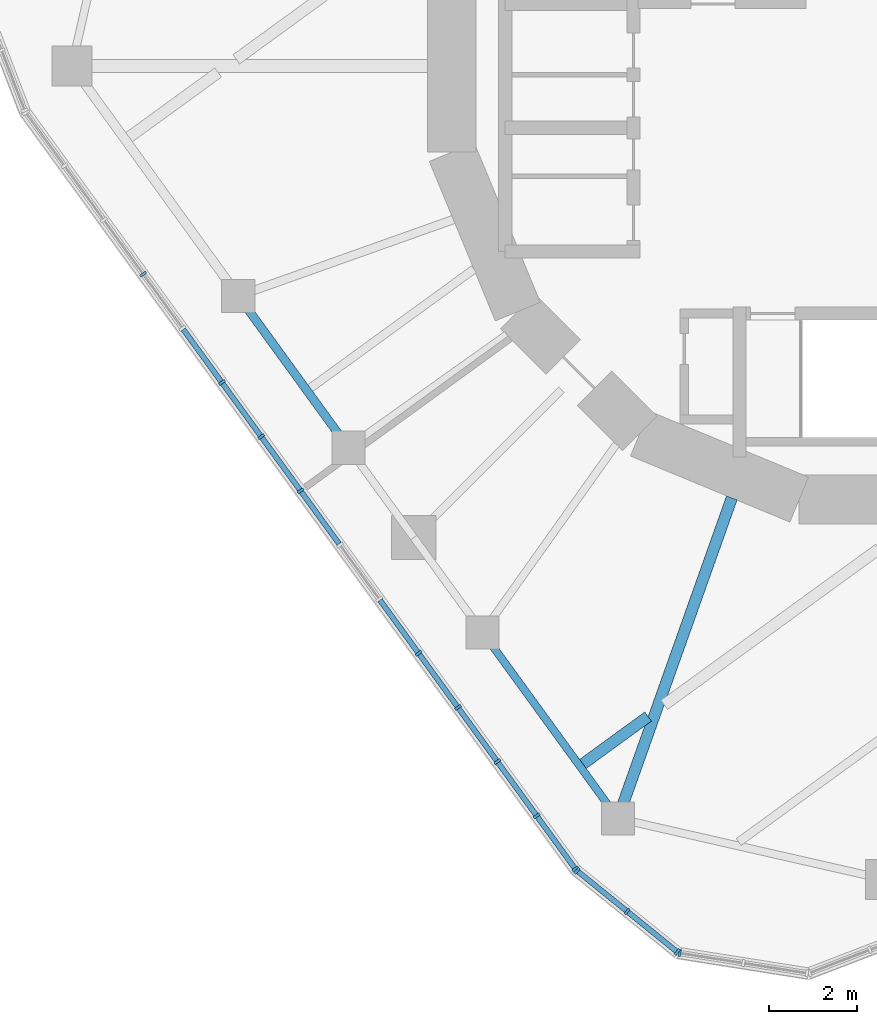
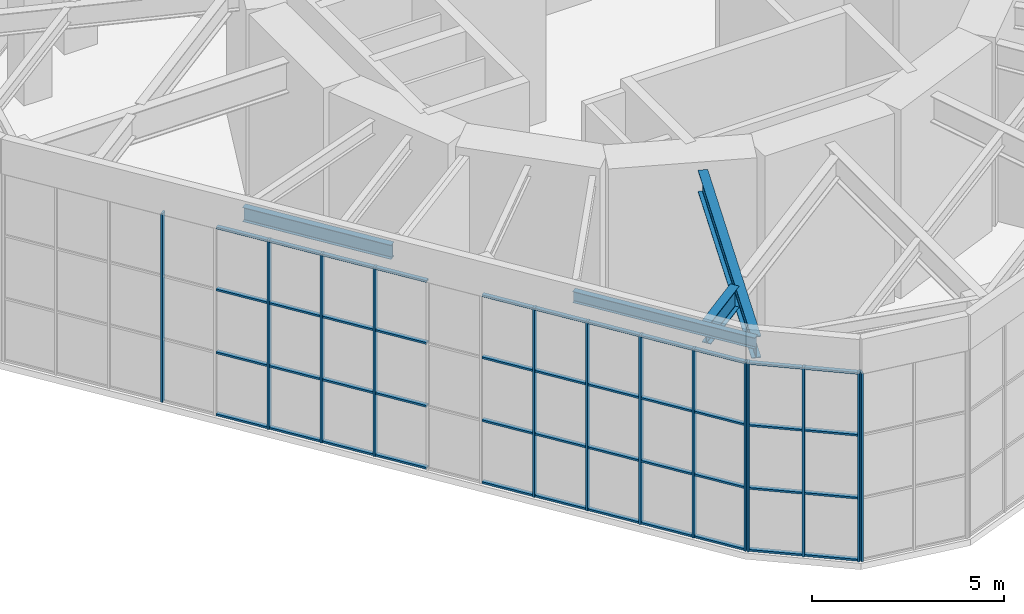
# One storey, part 2 of 17: 57 members, 4 beams, 3 elements without a shape of their own.
"""IFC4 building model written with IfcOpenShell, lengths in metres."""

from ifc_helpers import new_model, si_unit, direction, frame, origin, origin_2d, place, context, subcontext, project, spatial, rectangle, i_section, extrude, material, material_profile, profile_set, type_object, element, aggregate, save


model = new_model("IFC4")

# Units and contexts
model_context = context("Model", 3, precision=1e-05, world=origin(), true_north=direction((0.0, 1.0)))
body_context = subcontext(model_context, "Body", "Model", "MODEL_VIEW")
ifc_project = project(units=[si_unit("LENGTHUNIT", "METRE"), si_unit("AREAUNIT", "SQUARE_METRE"), si_unit("VOLUMEUNIT", "CUBIC_METRE"), si_unit("PLANEANGLEUNIT", "RADIAN"), si_unit("MASSUNIT", "GRAM", prefix="KILO")], contexts=[model_context])

# Site, building, storey
site_placement = place(None, origin())
site = spatial("IfcSite", under=ifc_project, at=site_placement, CompositionType="ELEMENT")
building_placement = place(site_placement, origin())
building = spatial("IfcBuilding", under=site, at=building_placement, Name="Nakasero Lantern House", CompositionType="ELEMENT")
storey_placement = place(building_placement, frame((0.0, 0.0, 304.39990234375)))
storey = spatial("IfcBuildingStorey", under=building, at=storey_placement, Name="L74", CompositionType="ELEMENT", Elevation=304.39990234375)

# Beam
ifc_material_1 = material(Name="Steel S355", Category="steel")
ifc_material_profile_1 = material_profile(ifc_material_1, i_section(OverallWidth=0.255859375, OverallDepth=0.69287109375, WebThickness=0.014404296875, FlangeThickness=0.023681640625, FilletRadius=0.01513671875, at=origin_2d()), Name="UB 686x254x170")
ifc_profile_set_1 = profile_set([ifc_material_profile_1], Name="Steel S355")
beam_type_1 = type_object("IfcBeamType", Name="Infill beam UB 686x254x170", PredefinedType="JOIST", material=ifc_profile_set_1)
beam_1_placement = place(storey_placement, frame((-6.841796875, -15.786376953125, 5.403564453125), z_axis=(0.809025740158, 0.587773214566, 0.0), x_axis=(-0.587773214566, 0.809025740158, 0.0)))
element("IfcBeam", 1, at=beam_1_placement, inside=storey, type_object=beam_type_1, Name="Infill beam ROOF 04.1", PredefinedType="JOIST", context=body_context, shape_type="SweptSolid", body=[
    extrude(i_section(OverallWidth=0.255859375, OverallDepth=0.69287109375, WebThickness=0.014404296875, FlangeThickness=0.023681640625, FilletRadius=0.01513671875, at=origin_2d()), origin(), (0.0, 0.0, 1.0), 1.82177734375),
])

# Curtain wall, members
ifc_material_2 = material(Name="Aluminium 6063-T6 and glass", Category="aluminium")
curtain_wall_type = type_object("IfcCurtainWallType", Name="Lantern glazing CW-4", PredefinedType="USERDEFINED", material=ifc_material_2)
curtain_wall_1_placement = place(storey_placement, origin())
curtain_wall_1 = element("IfcCurtainWall", 2, at=curtain_wall_1_placement, inside=storey, type_object=curtain_wall_type, Name="Curtain wall CW-4 L74", ObjectType="UNITISED CURTAIN WALL", PredefinedType="USERDEFINED")
ifc_material_3 = material(Name="Aluminium 6063-T6", Category="aluminium")
ifc_material_profile_2 = material_profile(ifc_material_3, rectangle(XDim=0.06005859375, YDim=0.159912109375, at=origin_2d()), Name="CW-4 mullion 60x160")
ifc_profile_set_2 = profile_set([ifc_material_profile_2], Name="Aluminium 6063-T6")
member_type_1 = type_object("IfcMemberType", Name="Mullion CW-4", PredefinedType="MULLION", material=ifc_profile_set_2)
member_1_placement = place(storey_placement, frame((-16.787841796875, -4.7099609375, 0.0), z_axis=(0.0, 0.0, 1.0), x_axis=(0.587785252292, -0.809016994375, 0.0)))
member_1 = element("IfcMember", 3, at=member_1_placement, type_object=member_type_1, Name="CW-4 mullion 4", PredefinedType="MULLION", context=body_context, shape_type="SweptSolid", body=[
    extrude(rectangle(XDim=0.06005859375, YDim=0.159912109375, at=origin_2d()), origin(), (0.0, 0.0, 1.0), 6.0),
])
member_2_placement = place(storey_placement, frame((-15.007568359375, -7.16015625, 0.0), z_axis=(0.0, 0.0, 1.0), x_axis=(0.587785252292, -0.809016994375, 0.0)))
member_2 = element("IfcMember", 4, at=member_2_placement, type_object=member_type_1, Name="CW-4 mullion 6", PredefinedType="MULLION", context=body_context, shape_type="SweptSolid", body=[
    extrude(rectangle(XDim=0.06005859375, YDim=0.159912109375, at=origin_2d()), origin(), (0.0, 0.0, 1.0), 6.0),
])
member_3_placement = place(storey_placement, frame((-14.117431640625, -8.38525390625, 0.0), z_axis=(0.0, 0.0, 1.0), x_axis=(0.587785252292, -0.809016994375, 0.0)))
member_3 = element("IfcMember", 5, at=member_3_placement, type_object=member_type_1, Name="CW-4 mullion 7", PredefinedType="MULLION", context=body_context, shape_type="SweptSolid", body=[
    extrude(rectangle(XDim=0.06005859375, YDim=0.159912109375, at=origin_2d()), origin(), (0.0, 0.0, 1.0), 6.0),
])
member_4_placement = place(storey_placement, frame((-13.2275390625, -9.6103515625, 0.0), z_axis=(0.0, 0.0, 1.0), x_axis=(0.587785252292, -0.809016994375, 0.0)))
member_4 = element("IfcMember", 6, at=member_4_placement, type_object=member_type_1, Name="CW-4 mullion 8", PredefinedType="MULLION", context=body_context, shape_type="SweptSolid", body=[
    extrude(rectangle(XDim=0.06005859375, YDim=0.159912109375, at=origin_2d()), origin(), (0.0, 0.0, 1.0), 6.0),
])
member_5_placement = place(storey_placement, frame((-10.55712890625, -13.28564453125, 0.0), z_axis=(0.0, 0.0, 1.0), x_axis=(0.587785252292, -0.809016994375, 0.0)))
member_5 = element("IfcMember", 7, at=member_5_placement, type_object=member_type_1, Name="CW-4 mullion 11", PredefinedType="MULLION", context=body_context, shape_type="SweptSolid", body=[
    extrude(rectangle(XDim=0.06005859375, YDim=0.159912109375, at=origin_2d()), origin(), (0.0, 0.0, 1.0), 6.0),
])
member_6_placement = place(storey_placement, frame((-9.667236328125, -14.5107421875, 0.0), z_axis=(0.0, 0.0, 1.0), x_axis=(0.587785252292, -0.809016994375, 0.0)))
member_6 = element("IfcMember", 8, at=member_6_placement, type_object=member_type_1, Name="CW-4 mullion 12", PredefinedType="MULLION", context=body_context, shape_type="SweptSolid", body=[
    extrude(rectangle(XDim=0.06005859375, YDim=0.159912109375, at=origin_2d()), origin(), (0.0, 0.0, 1.0), 6.0),
])
member_7_placement = place(storey_placement, frame((-8.777099609375, -15.735595703125, 0.0), z_axis=(0.0, 0.0, 1.0), x_axis=(0.587785252292, -0.809016994375, 0.0)))
member_7 = element("IfcMember", 9, at=member_7_placement, type_object=member_type_1, Name="CW-4 mullion 13", PredefinedType="MULLION", context=body_context, shape_type="SweptSolid", body=[
    extrude(rectangle(XDim=0.06005859375, YDim=0.159912109375, at=origin_2d()), origin(), (0.0, 0.0, 1.0), 6.0),
])
member_8_placement = place(storey_placement, frame((-7.886962890625, -16.960693359375, 0.0), z_axis=(0.0, 0.0, 1.0), x_axis=(0.587785252292, -0.809016994375, 0.0)))
member_8 = element("IfcMember", 10, at=member_8_placement, type_object=member_type_1, Name="CW-4 mullion 14", PredefinedType="MULLION", context=body_context, shape_type="SweptSolid", body=[
    extrude(rectangle(XDim=0.06005859375, YDim=0.159912109375, at=origin_2d()), origin(), (0.0, 0.0, 1.0), 6.0),
])
member_9_placement = place(storey_placement, frame((-7.0146484375, -18.16162109375, 0.0), z_axis=(0.0, 0.0, 1.0), x_axis=(0.587785252292, -0.809016994375, 0.0)))
member_9 = element("IfcMember", 11, at=member_9_placement, type_object=member_type_1, Name="CW-4 mullion 15", PredefinedType="MULLION", context=body_context, shape_type="SweptSolid", body=[
    extrude(rectangle(XDim=0.06005859375, YDim=0.159912109375, at=origin_2d()), origin(), (0.0, 0.0, 1.0), 6.0),
])

curtain_wall_2_placement = place(storey_placement, origin())
curtain_wall_2 = element("IfcCurtainWall", 12, at=curtain_wall_2_placement, inside=storey, type_object=curtain_wall_type, Name="Curtain wall CW-4 L74", ObjectType="UNITISED CURTAIN WALL", PredefinedType="USERDEFINED")
member_10_placement = place(storey_placement, frame((-6.9736328125, -18.204833984375, 0.0), z_axis=(0.0, 0.0, 1.0), x_axis=(0.777145961457, -0.62932039105, 0.0)))
member_10 = element("IfcMember", 13, at=member_10_placement, type_object=member_type_1, Name="CW-4 mullion 1", PredefinedType="MULLION", context=body_context, shape_type="SweptSolid", body=[
    extrude(rectangle(XDim=0.06005859375, YDim=0.159912109375, at=origin_2d()), origin(), (0.0, 0.0, 1.0), 6.0),
])
member_11_placement = place(storey_placement, frame((-5.84033203125, -19.122314453125, 0.0), z_axis=(0.0, 0.0, 1.0), x_axis=(0.777145961457, -0.62932039105, 0.0)))
member_11 = element("IfcMember", 14, at=member_11_placement, type_object=member_type_1, Name="CW-4 mullion 2", PredefinedType="MULLION", context=body_context, shape_type="SweptSolid", body=[
    extrude(rectangle(XDim=0.06005859375, YDim=0.159912109375, at=origin_2d()), origin(), (0.0, 0.0, 1.0), 6.0),
])
member_12_placement = place(storey_placement, frame((-4.70703125, -20.0400390625, 0.0), z_axis=(0.0, 0.0, 1.0), x_axis=(0.777145961457, -0.62932039105, 0.0)))
member_12 = element("IfcMember", 15, at=member_12_placement, type_object=member_type_1, Name="CW-4 mullion 3", PredefinedType="MULLION", context=body_context, shape_type="SweptSolid", body=[
    extrude(rectangle(XDim=0.06005859375, YDim=0.159912109375, at=origin_2d()), origin(), (0.0, 0.0, 1.0), 6.0),
])

# Curtain wall, member
curtain_wall_3_placement = place(storey_placement, origin())
curtain_wall_3 = element("IfcCurtainWall", 16, at=curtain_wall_3_placement, inside=storey, type_object=curtain_wall_type, Name="Curtain wall CW-4 L74", ObjectType="UNITISED CURTAIN WALL", PredefinedType="USERDEFINED")
member_13_placement = place(storey_placement, frame((-4.654052734375, -20.063720703125, 0.0), z_axis=(0.0, 0.0, 1.0), x_axis=(0.987688340595, -0.15643446504, 0.0)))
member_13 = element("IfcMember", 17, at=member_13_placement, type_object=member_type_1, Name="CW-4 mullion 1", PredefinedType="MULLION", context=body_context, shape_type="SweptSolid", body=[
    extrude(rectangle(XDim=0.06005859375, YDim=0.159912109375, at=origin_2d()), origin(), (0.0, 0.0, 1.0), 6.0),
])
aggregate(curtain_wall_3, [member_13])

# Beams
ifc_material_4 = material(Name="Steel S355", Category="steel")
ifc_material_profile_3 = material_profile(ifc_material_4, i_section(OverallWidth=0.255859375, OverallDepth=0.69287109375, WebThickness=0.014404296875, FlangeThickness=0.023681640625, FilletRadius=0.01513671875, at=origin_2d()), Name="UB 686x254x170")
ifc_profile_set_3 = profile_set([ifc_material_profile_3], Name="Steel S355")
beam_type_2 = type_object("IfcBeamType", Name="Primary beam UB 686x254x170, span 6 to 9 m", PredefinedType="BEAM", material=ifc_profile_set_3)
beam_2_placement = place(storey_placement, frame((-6.051513671875, -17.02001953125, 5.403564453125), z_axis=(0.334989005521, 0.942222036561, 0.0), x_axis=(-0.942222036561, 0.334989005521, 0.0)))
element("IfcBeam", 18, at=beam_2_placement, inside=storey, type_object=beam_type_2, Name="Primary beam ROOF B7-C20", PredefinedType="BEAM", context=body_context, shape_type="SweptSolid", body=[
    extrude(i_section(OverallWidth=0.255859375, OverallDepth=0.69287109375, WebThickness=0.014404296875, FlangeThickness=0.023681640625, FilletRadius=0.01513671875, at=origin_2d()), origin(), (0.0, 0.0, 1.0), 7.6923828125),
])
ifc_material_5 = material(Name="Steel S355", Category="steel")
ifc_material_profile_4 = material_profile(ifc_material_5, i_section(OverallWidth=0.17138671875, OverallDepth=0.35498046875, WebThickness=0.00732421875, FlangeThickness=0.011474609375, FilletRadius=0.01025390625, at=origin_2d()), Name="UB 356x171x51")
ifc_profile_set_4 = profile_set([ifc_material_profile_4], Name="Steel S355")
beam_type_3 = type_object("IfcBeamType", Name="Ring beam UB 356x171x51", PredefinedType="BEAM", material=ifc_profile_set_4)
beam_3_placement = place(storey_placement, frame((-9.10986328125, -12.810791015625, 5.572509765625), z_axis=(0.587806144414, -0.809001814948, 0.0), x_axis=(0.809001814948, 0.587806144414, 0.0)))
element("IfcBeam", 19, at=beam_3_placement, inside=storey, type_object=beam_type_3, Name="Ring beam ROOF B7-C19", PredefinedType="BEAM", context=body_context, shape_type="SweptSolid", body=[
    extrude(i_section(OverallWidth=0.17138671875, OverallDepth=0.35498046875, WebThickness=0.00732421875, FlangeThickness=0.011474609375, FilletRadius=0.01025390625, at=origin_2d()), origin(), (0.0, 0.0, 1.0), 5.202880859375),
])
ifc_material_6 = material(Name="Steel S355", Category="steel")
ifc_material_profile_5 = material_profile(ifc_material_6, i_section(OverallWidth=0.18994140625, OverallDepth=0.453369140625, WebThickness=0.008544921875, FlangeThickness=0.0126953125, FilletRadius=0.01025390625, at=origin_2d()), Name="UB 457x191x67")
ifc_profile_set_5 = profile_set([ifc_material_profile_5], Name="Steel S355")
beam_type_4 = type_object("IfcBeamType", Name="Ring beam UB 457x191x67", PredefinedType="BEAM", material=ifc_profile_set_5)
beam_4_placement = place(storey_placement, frame((-14.636474609375, -5.2041015625, 5.5234375), z_axis=(0.587791706687, -0.809012304944, 0.0), x_axis=(0.809012304944, 0.587791706687, 0.0)))
element("IfcBeam", 20, at=beam_4_placement, inside=storey, type_object=beam_type_4, Name="Ring beam ROOF B7-C16", PredefinedType="BEAM", context=body_context, shape_type="SweptSolid", body=[
    extrude(i_section(OverallWidth=0.18994140625, OverallDepth=0.453369140625, WebThickness=0.008544921875, FlangeThickness=0.0126953125, FilletRadius=0.01025390625, at=origin_2d()), origin(), (0.0, 0.0, 1.0), 4.2412109375),
])

# Member
ifc_material_7 = material(Name="Aluminium 6063-T6", Category="aluminium")
ifc_material_profile_6 = material_profile(ifc_material_7, rectangle(XDim=0.06005859375, YDim=0.1201171875, at=origin_2d()), Name="CW-4 transom 60x120")
ifc_profile_set_6 = profile_set([ifc_material_profile_6], Name="Aluminium 6063-T6")
member_type_2 = type_object("IfcMemberType", Name="Transom CW-4", PredefinedType="USERDEFINED", material=ifc_profile_set_6)
member_14_placement = place(storey_placement, frame((-15.880126953125, -5.959228515625, 0.030029296875), z_axis=(0.587872217916, -0.808953803009, 0.0), x_axis=(0.0, 0.0, 1.0)))
member_14 = element("IfcMember", 21, at=member_14_placement, type_object=member_type_2, Name="CW-4 transom 5.1", ObjectType="TRANSOM", PredefinedType="USERDEFINED", context=body_context, shape_type="SweptSolid", body=[
    extrude(rectangle(XDim=0.06005859375, YDim=0.1201171875, at=origin_2d()), origin(), (0.0, 0.0, 1.0), 1.454345703125),
])

member_15_placement = place(storey_placement, frame((-15.880126953125, -5.959228515625, 2.0), z_axis=(0.587872217916, -0.808953803009, 0.0), x_axis=(0.0, 0.0, 1.0)))
member_15 = element("IfcMember", 22, at=member_15_placement, type_object=member_type_2, Name="CW-4 transom 5.2", ObjectType="TRANSOM", PredefinedType="USERDEFINED", context=body_context, shape_type="SweptSolid", body=[
    extrude(rectangle(XDim=0.06005859375, YDim=0.1201171875, at=origin_2d()), origin(), (0.0, 0.0, 1.0), 1.454345703125),
])

member_16_placement = place(storey_placement, frame((-15.880126953125, -5.959228515625, 4.0), z_axis=(0.587872217916, -0.808953803009, 0.0), x_axis=(0.0, 0.0, 1.0)))
member_16 = element("IfcMember", 23, at=member_16_placement, type_object=member_type_2, Name="CW-4 transom 5.3", ObjectType="TRANSOM", PredefinedType="USERDEFINED", context=body_context, shape_type="SweptSolid", body=[
    extrude(rectangle(XDim=0.06005859375, YDim=0.1201171875, at=origin_2d()), origin(), (0.0, 0.0, 1.0), 1.454345703125),
])

member_17_placement = place(storey_placement, frame((-15.880126953125, -5.959228515625, 5.97021484375), z_axis=(0.587872217916, -0.808953803009, 0.0), x_axis=(0.0, 0.0, 1.0)))
member_17 = element("IfcMember", 24, at=member_17_placement, type_object=member_type_2, Name="CW-4 transom 5.4", ObjectType="TRANSOM", PredefinedType="USERDEFINED", context=body_context, shape_type="SweptSolid", body=[
    extrude(rectangle(XDim=0.06005859375, YDim=0.1201171875, at=origin_2d()), origin(), (0.0, 0.0, 1.0), 1.454345703125),
])

member_18_placement = place(storey_placement, frame((-14.989990234375, -7.184326171875, 0.030029296875), z_axis=(0.587762348068, -0.809033634773, 0.0), x_axis=(0.0, 0.0, 1.0)))
member_18 = element("IfcMember", 25, at=member_18_placement, type_object=member_type_2, Name="CW-4 transom 6.1", ObjectType="TRANSOM", PredefinedType="USERDEFINED", context=body_context, shape_type="SweptSolid", body=[
    extrude(rectangle(XDim=0.06005859375, YDim=0.1201171875, at=origin_2d()), origin(), (0.0, 0.0, 1.0), 1.4541015625),
])

member_19_placement = place(storey_placement, frame((-14.989990234375, -7.184326171875, 2.0), z_axis=(0.587762348068, -0.809033634773, 0.0), x_axis=(0.0, 0.0, 1.0)))
member_19 = element("IfcMember", 26, at=member_19_placement, type_object=member_type_2, Name="CW-4 transom 6.2", ObjectType="TRANSOM", PredefinedType="USERDEFINED", context=body_context, shape_type="SweptSolid", body=[
    extrude(rectangle(XDim=0.06005859375, YDim=0.1201171875, at=origin_2d()), origin(), (0.0, 0.0, 1.0), 1.4541015625),
])

member_20_placement = place(storey_placement, frame((-14.989990234375, -7.184326171875, 4.0), z_axis=(0.587762348068, -0.809033634773, 0.0), x_axis=(0.0, 0.0, 1.0)))
member_20 = element("IfcMember", 27, at=member_20_placement, type_object=member_type_2, Name="CW-4 transom 6.3", ObjectType="TRANSOM", PredefinedType="USERDEFINED", context=body_context, shape_type="SweptSolid", body=[
    extrude(rectangle(XDim=0.06005859375, YDim=0.1201171875, at=origin_2d()), origin(), (0.0, 0.0, 1.0), 1.4541015625),
])

member_21_placement = place(storey_placement, frame((-14.989990234375, -7.184326171875, 5.97021484375), z_axis=(0.587762348068, -0.809033634773, 0.0), x_axis=(0.0, 0.0, 1.0)))
member_21 = element("IfcMember", 28, at=member_21_placement, type_object=member_type_2, Name="CW-4 transom 6.4", ObjectType="TRANSOM", PredefinedType="USERDEFINED", context=body_context, shape_type="SweptSolid", body=[
    extrude(rectangle(XDim=0.06005859375, YDim=0.1201171875, at=origin_2d()), origin(), (0.0, 0.0, 1.0), 1.4541015625),
])

member_22_placement = place(storey_placement, frame((-14.099853515625, -8.409423828125, 0.030029296875), z_axis=(0.587762348068, -0.809033634773, 0.0), x_axis=(0.0, 0.0, 1.0)))
member_22 = element("IfcMember", 29, at=member_22_placement, type_object=member_type_2, Name="CW-4 transom 7.1", ObjectType="TRANSOM", PredefinedType="USERDEFINED", context=body_context, shape_type="SweptSolid", body=[
    extrude(rectangle(XDim=0.06005859375, YDim=0.1201171875, at=origin_2d()), origin(), (0.0, 0.0, 1.0), 1.4541015625),
])

member_23_placement = place(storey_placement, frame((-14.099853515625, -8.409423828125, 2.0), z_axis=(0.587762348068, -0.809033634773, 0.0), x_axis=(0.0, 0.0, 1.0)))
member_23 = element("IfcMember", 30, at=member_23_placement, type_object=member_type_2, Name="CW-4 transom 7.2", ObjectType="TRANSOM", PredefinedType="USERDEFINED", context=body_context, shape_type="SweptSolid", body=[
    extrude(rectangle(XDim=0.06005859375, YDim=0.1201171875, at=origin_2d()), origin(), (0.0, 0.0, 1.0), 1.4541015625),
])

member_24_placement = place(storey_placement, frame((-14.099853515625, -8.409423828125, 4.0), z_axis=(0.587762348068, -0.809033634773, 0.0), x_axis=(0.0, 0.0, 1.0)))
member_24 = element("IfcMember", 31, at=member_24_placement, type_object=member_type_2, Name="CW-4 transom 7.3", ObjectType="TRANSOM", PredefinedType="USERDEFINED", context=body_context, shape_type="SweptSolid", body=[
    extrude(rectangle(XDim=0.06005859375, YDim=0.1201171875, at=origin_2d()), origin(), (0.0, 0.0, 1.0), 1.4541015625),
])

member_25_placement = place(storey_placement, frame((-14.099853515625, -8.409423828125, 5.97021484375), z_axis=(0.587762348068, -0.809033634773, 0.0), x_axis=(0.0, 0.0, 1.0)))
member_25 = element("IfcMember", 32, at=member_25_placement, type_object=member_type_2, Name="CW-4 transom 7.4", ObjectType="TRANSOM", PredefinedType="USERDEFINED", context=body_context, shape_type="SweptSolid", body=[
    extrude(rectangle(XDim=0.06005859375, YDim=0.1201171875, at=origin_2d()), origin(), (0.0, 0.0, 1.0), 1.4541015625),
])

member_26_placement = place(storey_placement, frame((-13.209716796875, -9.634521484375, 0.030029296875), z_axis=(0.587762348068, -0.809033634773, 0.0), x_axis=(0.0, 0.0, 1.0)))
member_26 = element("IfcMember", 33, at=member_26_placement, type_object=member_type_2, Name="CW-4 transom 8.1", ObjectType="TRANSOM", PredefinedType="USERDEFINED", context=body_context, shape_type="SweptSolid", body=[
    extrude(rectangle(XDim=0.06005859375, YDim=0.1201171875, at=origin_2d()), origin(), (0.0, 0.0, 1.0), 1.4541015625),
])

member_27_placement = place(storey_placement, frame((-13.209716796875, -9.634521484375, 2.0), z_axis=(0.587762348068, -0.809033634773, 0.0), x_axis=(0.0, 0.0, 1.0)))
member_27 = element("IfcMember", 34, at=member_27_placement, type_object=member_type_2, Name="CW-4 transom 8.2", ObjectType="TRANSOM", PredefinedType="USERDEFINED", context=body_context, shape_type="SweptSolid", body=[
    extrude(rectangle(XDim=0.06005859375, YDim=0.1201171875, at=origin_2d()), origin(), (0.0, 0.0, 1.0), 1.4541015625),
])

member_28_placement = place(storey_placement, frame((-13.209716796875, -9.634521484375, 4.0), z_axis=(0.587762348068, -0.809033634773, 0.0), x_axis=(0.0, 0.0, 1.0)))
member_28 = element("IfcMember", 35, at=member_28_placement, type_object=member_type_2, Name="CW-4 transom 8.3", ObjectType="TRANSOM", PredefinedType="USERDEFINED", context=body_context, shape_type="SweptSolid", body=[
    extrude(rectangle(XDim=0.06005859375, YDim=0.1201171875, at=origin_2d()), origin(), (0.0, 0.0, 1.0), 1.4541015625),
])

member_29_placement = place(storey_placement, frame((-13.209716796875, -9.634521484375, 5.97021484375), z_axis=(0.587762348068, -0.809033634773, 0.0), x_axis=(0.0, 0.0, 1.0)))
member_29 = element("IfcMember", 36, at=member_29_placement, type_object=member_type_2, Name="CW-4 transom 8.4", ObjectType="TRANSOM", PredefinedType="USERDEFINED", context=body_context, shape_type="SweptSolid", body=[
    extrude(rectangle(XDim=0.06005859375, YDim=0.1201171875, at=origin_2d()), origin(), (0.0, 0.0, 1.0), 1.4541015625),
])

member_30_placement = place(storey_placement, frame((-11.4296875, -12.084716796875, 0.030029296875), z_axis=(0.587762348068, -0.809033634773, 0.0), x_axis=(0.0, 0.0, 1.0)))
member_30 = element("IfcMember", 37, at=member_30_placement, type_object=member_type_2, Name="CW-4 transom 10.1", ObjectType="TRANSOM", PredefinedType="USERDEFINED", context=body_context, shape_type="SweptSolid", body=[
    extrude(rectangle(XDim=0.06005859375, YDim=0.1201171875, at=origin_2d()), origin(), (0.0, 0.0, 1.0), 1.4541015625),
])

member_31_placement = place(storey_placement, frame((-11.4296875, -12.084716796875, 2.0), z_axis=(0.587762348068, -0.809033634773, 0.0), x_axis=(0.0, 0.0, 1.0)))
member_31 = element("IfcMember", 38, at=member_31_placement, type_object=member_type_2, Name="CW-4 transom 10.2", ObjectType="TRANSOM", PredefinedType="USERDEFINED", context=body_context, shape_type="SweptSolid", body=[
    extrude(rectangle(XDim=0.06005859375, YDim=0.1201171875, at=origin_2d()), origin(), (0.0, 0.0, 1.0), 1.4541015625),
])

member_32_placement = place(storey_placement, frame((-11.4296875, -12.084716796875, 4.0), z_axis=(0.587762348068, -0.809033634773, 0.0), x_axis=(0.0, 0.0, 1.0)))
member_32 = element("IfcMember", 39, at=member_32_placement, type_object=member_type_2, Name="CW-4 transom 10.3", ObjectType="TRANSOM", PredefinedType="USERDEFINED", context=body_context, shape_type="SweptSolid", body=[
    extrude(rectangle(XDim=0.06005859375, YDim=0.1201171875, at=origin_2d()), origin(), (0.0, 0.0, 1.0), 1.4541015625),
])

member_33_placement = place(storey_placement, frame((-11.4296875, -12.084716796875, 5.97021484375), z_axis=(0.587762348068, -0.809033634773, 0.0), x_axis=(0.0, 0.0, 1.0)))
member_33 = element("IfcMember", 40, at=member_33_placement, type_object=member_type_2, Name="CW-4 transom 10.4", ObjectType="TRANSOM", PredefinedType="USERDEFINED", context=body_context, shape_type="SweptSolid", body=[
    extrude(rectangle(XDim=0.06005859375, YDim=0.1201171875, at=origin_2d()), origin(), (0.0, 0.0, 1.0), 1.4541015625),
])

member_34_placement = place(storey_placement, frame((-10.53955078125, -13.309814453125, 0.030029296875), z_axis=(0.587762348068, -0.809033634773, 0.0), x_axis=(0.0, 0.0, 1.0)))
member_34 = element("IfcMember", 41, at=member_34_placement, type_object=member_type_2, Name="CW-4 transom 11.1", ObjectType="TRANSOM", PredefinedType="USERDEFINED", context=body_context, shape_type="SweptSolid", body=[
    extrude(rectangle(XDim=0.06005859375, YDim=0.1201171875, at=origin_2d()), origin(), (0.0, 0.0, 1.0), 1.4541015625),
])

member_35_placement = place(storey_placement, frame((-10.53955078125, -13.309814453125, 2.0), z_axis=(0.587762348068, -0.809033634773, 0.0), x_axis=(0.0, 0.0, 1.0)))
member_35 = element("IfcMember", 42, at=member_35_placement, type_object=member_type_2, Name="CW-4 transom 11.2", ObjectType="TRANSOM", PredefinedType="USERDEFINED", context=body_context, shape_type="SweptSolid", body=[
    extrude(rectangle(XDim=0.06005859375, YDim=0.1201171875, at=origin_2d()), origin(), (0.0, 0.0, 1.0), 1.4541015625),
])

member_36_placement = place(storey_placement, frame((-10.53955078125, -13.309814453125, 4.0), z_axis=(0.587762348068, -0.809033634773, 0.0), x_axis=(0.0, 0.0, 1.0)))
member_36 = element("IfcMember", 43, at=member_36_placement, type_object=member_type_2, Name="CW-4 transom 11.3", ObjectType="TRANSOM", PredefinedType="USERDEFINED", context=body_context, shape_type="SweptSolid", body=[
    extrude(rectangle(XDim=0.06005859375, YDim=0.1201171875, at=origin_2d()), origin(), (0.0, 0.0, 1.0), 1.4541015625),
])

member_37_placement = place(storey_placement, frame((-10.53955078125, -13.309814453125, 5.97021484375), z_axis=(0.587762348068, -0.809033634773, 0.0), x_axis=(0.0, 0.0, 1.0)))
member_37 = element("IfcMember", 44, at=member_37_placement, type_object=member_type_2, Name="CW-4 transom 11.4", ObjectType="TRANSOM", PredefinedType="USERDEFINED", context=body_context, shape_type="SweptSolid", body=[
    extrude(rectangle(XDim=0.06005859375, YDim=0.1201171875, at=origin_2d()), origin(), (0.0, 0.0, 1.0), 1.4541015625),
])

member_38_placement = place(storey_placement, frame((-9.6494140625, -14.534912109375, 0.030029296875), z_axis=(0.587762348068, -0.809033634773, 0.0), x_axis=(0.0, 0.0, 1.0)))
member_38 = element("IfcMember", 45, at=member_38_placement, type_object=member_type_2, Name="CW-4 transom 12.1", ObjectType="TRANSOM", PredefinedType="USERDEFINED", context=body_context, shape_type="SweptSolid", body=[
    extrude(rectangle(XDim=0.06005859375, YDim=0.1201171875, at=origin_2d()), origin(), (0.0, 0.0, 1.0), 1.4541015625),
])

member_39_placement = place(storey_placement, frame((-9.6494140625, -14.534912109375, 2.0), z_axis=(0.587762348068, -0.809033634773, 0.0), x_axis=(0.0, 0.0, 1.0)))
member_39 = element("IfcMember", 46, at=member_39_placement, type_object=member_type_2, Name="CW-4 transom 12.2", ObjectType="TRANSOM", PredefinedType="USERDEFINED", context=body_context, shape_type="SweptSolid", body=[
    extrude(rectangle(XDim=0.06005859375, YDim=0.1201171875, at=origin_2d()), origin(), (0.0, 0.0, 1.0), 1.4541015625),
])

member_40_placement = place(storey_placement, frame((-9.6494140625, -14.534912109375, 4.0), z_axis=(0.587762348068, -0.809033634773, 0.0), x_axis=(0.0, 0.0, 1.0)))
member_40 = element("IfcMember", 47, at=member_40_placement, type_object=member_type_2, Name="CW-4 transom 12.3", ObjectType="TRANSOM", PredefinedType="USERDEFINED", context=body_context, shape_type="SweptSolid", body=[
    extrude(rectangle(XDim=0.06005859375, YDim=0.1201171875, at=origin_2d()), origin(), (0.0, 0.0, 1.0), 1.4541015625),
])

member_41_placement = place(storey_placement, frame((-9.6494140625, -14.534912109375, 5.97021484375), z_axis=(0.587762348068, -0.809033634773, 0.0), x_axis=(0.0, 0.0, 1.0)))
member_41 = element("IfcMember", 48, at=member_41_placement, type_object=member_type_2, Name="CW-4 transom 12.4", ObjectType="TRANSOM", PredefinedType="USERDEFINED", context=body_context, shape_type="SweptSolid", body=[
    extrude(rectangle(XDim=0.06005859375, YDim=0.1201171875, at=origin_2d()), origin(), (0.0, 0.0, 1.0), 1.4541015625),
])

member_42_placement = place(storey_placement, frame((-8.759521484375, -15.760009765625, 0.030029296875), z_axis=(0.587872217916, -0.808953803009, 0.0), x_axis=(0.0, 0.0, 1.0)))
member_42 = element("IfcMember", 49, at=member_42_placement, type_object=member_type_2, Name="CW-4 transom 13.1", ObjectType="TRANSOM", PredefinedType="USERDEFINED", context=body_context, shape_type="SweptSolid", body=[
    extrude(rectangle(XDim=0.06005859375, YDim=0.1201171875, at=origin_2d()), origin(), (0.0, 0.0, 1.0), 1.454345703125),
])

member_43_placement = place(storey_placement, frame((-8.759521484375, -15.760009765625, 2.0), z_axis=(0.587872217916, -0.808953803009, 0.0), x_axis=(0.0, 0.0, 1.0)))
member_43 = element("IfcMember", 50, at=member_43_placement, type_object=member_type_2, Name="CW-4 transom 13.2", ObjectType="TRANSOM", PredefinedType="USERDEFINED", context=body_context, shape_type="SweptSolid", body=[
    extrude(rectangle(XDim=0.06005859375, YDim=0.1201171875, at=origin_2d()), origin(), (0.0, 0.0, 1.0), 1.454345703125),
])

member_44_placement = place(storey_placement, frame((-8.759521484375, -15.760009765625, 4.0), z_axis=(0.587872217916, -0.808953803009, 0.0), x_axis=(0.0, 0.0, 1.0)))
member_44 = element("IfcMember", 51, at=member_44_placement, type_object=member_type_2, Name="CW-4 transom 13.3", ObjectType="TRANSOM", PredefinedType="USERDEFINED", context=body_context, shape_type="SweptSolid", body=[
    extrude(rectangle(XDim=0.06005859375, YDim=0.1201171875, at=origin_2d()), origin(), (0.0, 0.0, 1.0), 1.454345703125),
])

member_45_placement = place(storey_placement, frame((-8.759521484375, -15.760009765625, 5.97021484375), z_axis=(0.587872217916, -0.808953803009, 0.0), x_axis=(0.0, 0.0, 1.0)))
member_45 = element("IfcMember", 52, at=member_45_placement, type_object=member_type_2, Name="CW-4 transom 13.4", ObjectType="TRANSOM", PredefinedType="USERDEFINED", context=body_context, shape_type="SweptSolid", body=[
    extrude(rectangle(XDim=0.06005859375, YDim=0.1201171875, at=origin_2d()), origin(), (0.0, 0.0, 1.0), 1.454345703125),
])

member_46_placement = place(storey_placement, frame((-7.869384765625, -16.985107421875, 0.030029296875), z_axis=(0.587835272309, -0.808980650343, 0.0), x_axis=(0.0, 0.0, 1.0)))
member_46 = element("IfcMember", 53, at=member_46_placement, type_object=member_type_2, Name="CW-4 transom 14.1", ObjectType="TRANSOM", PredefinedType="USERDEFINED", context=body_context, shape_type="SweptSolid", body=[
    extrude(rectangle(XDim=0.06005859375, YDim=0.1201171875, at=origin_2d()), origin(), (0.0, 0.0, 1.0), 1.424072265625),
])

member_47_placement = place(storey_placement, frame((-7.869384765625, -16.985107421875, 2.0), z_axis=(0.587835272309, -0.808980650343, 0.0), x_axis=(0.0, 0.0, 1.0)))
member_47 = element("IfcMember", 54, at=member_47_placement, type_object=member_type_2, Name="CW-4 transom 14.2", ObjectType="TRANSOM", PredefinedType="USERDEFINED", context=body_context, shape_type="SweptSolid", body=[
    extrude(rectangle(XDim=0.06005859375, YDim=0.1201171875, at=origin_2d()), origin(), (0.0, 0.0, 1.0), 1.424072265625),
])

member_48_placement = place(storey_placement, frame((-7.869384765625, -16.985107421875, 4.0), z_axis=(0.587835272309, -0.808980650343, 0.0), x_axis=(0.0, 0.0, 1.0)))
member_48 = element("IfcMember", 55, at=member_48_placement, type_object=member_type_2, Name="CW-4 transom 14.3", ObjectType="TRANSOM", PredefinedType="USERDEFINED", context=body_context, shape_type="SweptSolid", body=[
    extrude(rectangle(XDim=0.06005859375, YDim=0.1201171875, at=origin_2d()), origin(), (0.0, 0.0, 1.0), 1.424072265625),
])

member_49_placement = place(storey_placement, frame((-7.869384765625, -16.985107421875, 5.97021484375), z_axis=(0.587835272309, -0.808980650343, 0.0), x_axis=(0.0, 0.0, 1.0)))
member_49 = element("IfcMember", 56, at=member_49_placement, type_object=member_type_2, Name="CW-4 transom 14.4", ObjectType="TRANSOM", PredefinedType="USERDEFINED", context=body_context, shape_type="SweptSolid", body=[
    extrude(rectangle(XDim=0.06005859375, YDim=0.1201171875, at=origin_2d()), origin(), (0.0, 0.0, 1.0), 1.424072265625),
])

aggregate(curtain_wall_1, [member_1, member_2, member_3, member_4, member_5, member_6, member_7, member_8, member_9, member_14, member_15, member_16, member_17, member_18, member_19, member_20, member_21, member_22, member_23, member_24, member_25, member_26, member_27, member_28, member_29, member_30, member_31, member_32, member_33, member_34, member_35, member_36, member_37, member_38, member_39, member_40, member_41, member_42, member_43, member_44, member_45, member_46, member_47, member_48, member_49])

member_50_placement = place(storey_placement, frame((-6.9501953125, -18.2236328125, 0.030029296875), z_axis=(0.777106582707, -0.629369016646, 0.0), x_axis=(0.0, 0.0, 1.0)))
member_50 = element("IfcMember", 57, at=member_50_placement, type_object=member_type_2, Name="CW-4 transom 1.1", ObjectType="TRANSOM", PredefinedType="USERDEFINED", context=body_context, shape_type="SweptSolid", body=[
    extrude(rectangle(XDim=0.06005859375, YDim=0.1201171875, at=origin_2d()), origin(), (0.0, 0.0, 1.0), 1.39794921875),
])

member_51_placement = place(storey_placement, frame((-6.9501953125, -18.2236328125, 2.0), z_axis=(0.777106582707, -0.629369016646, 0.0), x_axis=(0.0, 0.0, 1.0)))
member_51 = element("IfcMember", 58, at=member_51_placement, type_object=member_type_2, Name="CW-4 transom 1.2", ObjectType="TRANSOM", PredefinedType="USERDEFINED", context=body_context, shape_type="SweptSolid", body=[
    extrude(rectangle(XDim=0.06005859375, YDim=0.1201171875, at=origin_2d()), origin(), (0.0, 0.0, 1.0), 1.39794921875),
])

member_52_placement = place(storey_placement, frame((-6.9501953125, -18.2236328125, 4.0), z_axis=(0.777106582707, -0.629369016646, 0.0), x_axis=(0.0, 0.0, 1.0)))
member_52 = element("IfcMember", 59, at=member_52_placement, type_object=member_type_2, Name="CW-4 transom 1.3", ObjectType="TRANSOM", PredefinedType="USERDEFINED", context=body_context, shape_type="SweptSolid", body=[
    extrude(rectangle(XDim=0.06005859375, YDim=0.1201171875, at=origin_2d()), origin(), (0.0, 0.0, 1.0), 1.39794921875),
])

member_53_placement = place(storey_placement, frame((-6.9501953125, -18.2236328125, 5.97021484375), z_axis=(0.777106582707, -0.629369016646, 0.0), x_axis=(0.0, 0.0, 1.0)))
member_53 = element("IfcMember", 60, at=member_53_placement, type_object=member_type_2, Name="CW-4 transom 1.4", ObjectType="TRANSOM", PredefinedType="USERDEFINED", context=body_context, shape_type="SweptSolid", body=[
    extrude(rectangle(XDim=0.06005859375, YDim=0.1201171875, at=origin_2d()), origin(), (0.0, 0.0, 1.0), 1.39794921875),
])

member_54_placement = place(storey_placement, frame((-5.817138671875, -19.141357421875, 0.030029296875), z_axis=(0.777175740781, -0.629283614868, 0.0), x_axis=(0.0, 0.0, 1.0)))
member_54 = element("IfcMember", 61, at=member_54_placement, type_object=member_type_2, Name="CW-4 transom 2.1", ObjectType="TRANSOM", PredefinedType="USERDEFINED", context=body_context, shape_type="SweptSolid", body=[
    extrude(rectangle(XDim=0.06005859375, YDim=0.1201171875, at=origin_2d()), origin(), (0.0, 0.0, 1.0), 1.398193359375),
])

member_55_placement = place(storey_placement, frame((-5.817138671875, -19.141357421875, 2.0), z_axis=(0.777175740781, -0.629283614868, 0.0), x_axis=(0.0, 0.0, 1.0)))
member_55 = element("IfcMember", 62, at=member_55_placement, type_object=member_type_2, Name="CW-4 transom 2.2", ObjectType="TRANSOM", PredefinedType="USERDEFINED", context=body_context, shape_type="SweptSolid", body=[
    extrude(rectangle(XDim=0.06005859375, YDim=0.1201171875, at=origin_2d()), origin(), (0.0, 0.0, 1.0), 1.398193359375),
])

member_56_placement = place(storey_placement, frame((-5.817138671875, -19.141357421875, 4.0), z_axis=(0.777175740781, -0.629283614868, 0.0), x_axis=(0.0, 0.0, 1.0)))
member_56 = element("IfcMember", 63, at=member_56_placement, type_object=member_type_2, Name="CW-4 transom 2.3", ObjectType="TRANSOM", PredefinedType="USERDEFINED", context=body_context, shape_type="SweptSolid", body=[
    extrude(rectangle(XDim=0.06005859375, YDim=0.1201171875, at=origin_2d()), origin(), (0.0, 0.0, 1.0), 1.398193359375),
])

member_57_placement = place(storey_placement, frame((-5.817138671875, -19.141357421875, 5.97021484375), z_axis=(0.777175740781, -0.629283614868, 0.0), x_axis=(0.0, 0.0, 1.0)))
member_57 = element("IfcMember", 64, at=member_57_placement, type_object=member_type_2, Name="CW-4 transom 2.4", ObjectType="TRANSOM", PredefinedType="USERDEFINED", context=body_context, shape_type="SweptSolid", body=[
    extrude(rectangle(XDim=0.06005859375, YDim=0.1201171875, at=origin_2d()), origin(), (0.0, 0.0, 1.0), 1.398193359375),
])

aggregate(curtain_wall_2, [member_10, member_11, member_12, member_50, member_51, member_52, member_53, member_54, member_55, member_56, member_57])

save(model, "model.ifc")
